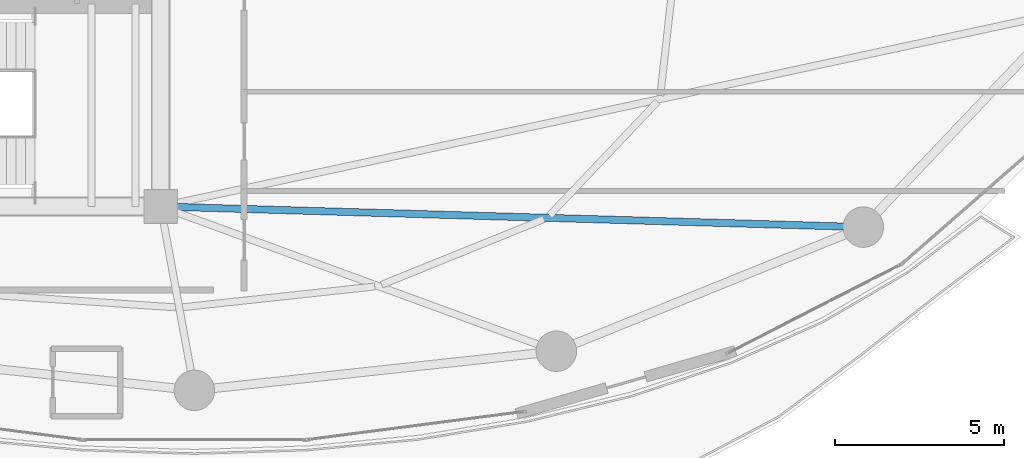
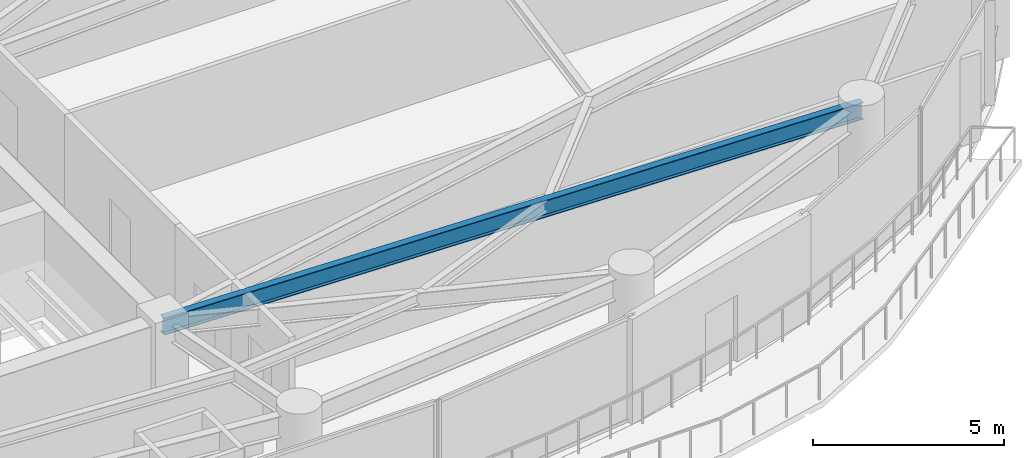
# One storey, part 10 of 28: 1 beam.
"""IFC4 building model written with IfcOpenShell, lengths in metres."""

from ifc_helpers import new_model, si_unit, direction, frame, origin, origin_2d, place, context, subcontext, project, spatial, i_section, extrude, material, material_profile, profile_set, type_object, element, save


model = new_model("IFC4")

# Units and contexts
model_context = context("Model", 3, precision=1e-05, world=origin(), true_north=direction((0.0, 1.0)))
body_context = subcontext(model_context, "Body", "Model", "MODEL_VIEW")
ifc_project = project(units=[si_unit("LENGTHUNIT", "METRE"), si_unit("AREAUNIT", "SQUARE_METRE"), si_unit("VOLUMEUNIT", "CUBIC_METRE"), si_unit("PLANEANGLEUNIT", "RADIAN"), si_unit("MASSUNIT", "GRAM", prefix="KILO")], contexts=[model_context])

# Site, building, storey
site_placement = place(None, origin())
site = spatial("IfcSite", under=ifc_project, at=site_placement, CompositionType="ELEMENT")
building_placement = place(site_placement, origin())
building = spatial("IfcBuilding", under=site, at=building_placement, Name="Kazevale Care Tower and Concert Hall", CompositionType="ELEMENT")
storey_placement = place(building_placement, frame((0.0, 0.0, 102.60009765625)))
storey = spatial("IfcBuildingStorey", under=building, at=storey_placement, Name="L26", CompositionType="ELEMENT", Elevation=102.60009765625)

# Beam
ifc_material = material(Name="Steel ASTM A572 Gr 50", Category="steel")
ifc_material_profile = material_profile(ifc_material, i_section(OverallWidth=0.2119140625, OverallDepth=0.5439453125, WebThickness=0.01318359375, FlangeThickness=0.021240234375, at=origin_2d()), Name="W530x123")
ifc_profile_set = profile_set([ifc_material_profile], Name="Steel ASTM A572 Gr 50")
beam_type = type_object("IfcBeamType", Name="Radial Floor Girder W530x123", PredefinedType="BEAM", material=ifc_profile_set)
beam_placement = place(storey_placement, frame((44.0, 23.60009765625, 3.087890625), z_axis=(0.99957133157, -0.029277177187, 0.0), x_axis=(0.029277177187, 0.99957133157, 0.0)))
element("IfcBeam", 1, at=beam_placement, inside=storey, type_object=beam_type, Name="beam:L26:rad:15", PredefinedType="BEAM", context=body_context, shape_type="SweptSolid", body=[
    extrude(i_section(OverallWidth=0.2119140625, OverallDepth=0.5439453125, WebThickness=0.01318359375, FlangeThickness=0.021240234375, at=origin_2d()), origin(), (0.0, 0.0, 1.0), 20.839111328125),
])

save(model, "model.ifc")
